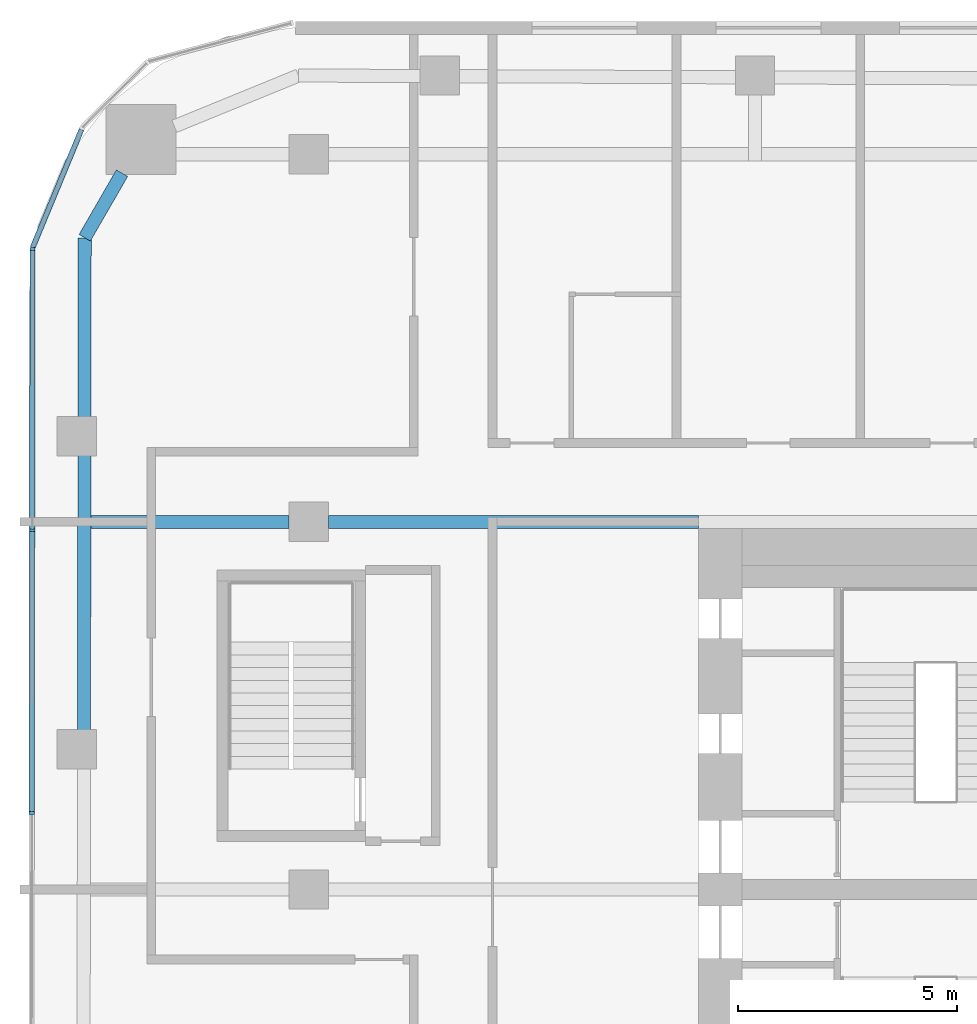
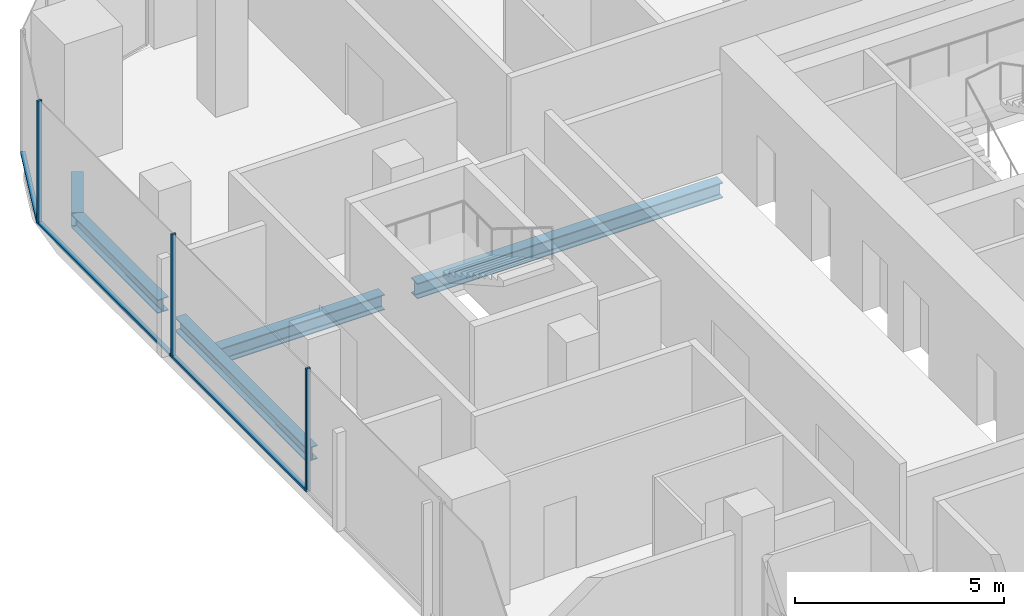
# One storey, part 8 of 23: 6 members, 5 beams, 2 elements without a shape of their own.
"""IFC4 building model written with IfcOpenShell, lengths in metres."""

from ifc_helpers import new_model, si_unit, direction, frame, origin, origin_2d, place, context, subcontext, project, spatial, rectangle, i_section, extrude, material, layer, layer_set, material_profile, profile_set, type_object, element, aggregate, save


model = new_model("IFC4")

# Units and contexts
model_context = context("Model", 3, precision=1e-05, world=origin(), true_north=direction((0.0, 1.0)))
body_context = subcontext(model_context, "Body", "Model", "MODEL_VIEW")
ifc_project = project(units=[si_unit("LENGTHUNIT", "METRE"), si_unit("AREAUNIT", "SQUARE_METRE"), si_unit("VOLUMEUNIT", "CUBIC_METRE"), si_unit("PLANEANGLEUNIT", "RADIAN"), si_unit("MASSUNIT", "GRAM", prefix="KILO")], contexts=[model_context])

# Site, building, storey
site_placement = place(None, origin())
site = spatial("IfcSite", under=ifc_project, at=site_placement, CompositionType="ELEMENT")
building_placement = place(site_placement, origin())
building = spatial("IfcBuilding", under=site, at=building_placement, Name="Marenta Gate Hotel Tower", CompositionType="ELEMENT")
storey_placement = place(building_placement, frame((0.0, 0.0, 162.5)))
storey = spatial("IfcBuildingStorey", under=building, at=storey_placement, Name="L38", CompositionType="ELEMENT", Elevation=162.5)

# Beams
ifc_material_1 = material(Name="Steel S355", Category="steel")
ifc_material_profile_1 = material_profile(ifc_material_1, i_section(OverallWidth=0.300048828125, OverallDepth=0.39990234375, WebThickness=0.013427734375, FlangeThickness=0.02392578125, FilletRadius=0.027099609375, at=origin_2d()), Name="HEB 400")
ifc_profile_set_1 = profile_set([ifc_material_profile_1], Name="Steel S355")
beam_type_1 = type_object("IfcBeamType", Name="Edge beam HEB 400", PredefinedType="SPANDREL", material=ifc_profile_set_1)
beam_1_placement = place(storey_placement, frame((-26.136962890625, 12.01318359375, -0.4599609375), z_axis=(0.001387763206, 0.999999037056, 0.0), x_axis=(-0.999999037056, 0.001387763206, 0.0)))
element("IfcBeam", 1, at=beam_1_placement, inside=storey, type_object=beam_type_1, Name="L38-EB-9", PredefinedType="SPANDREL", context=body_context, shape_type="SweptSolid", body=[
    extrude(i_section(OverallWidth=0.300048828125, OverallDepth=0.39990234375, WebThickness=0.013427734375, FlangeThickness=0.02392578125, FilletRadius=0.027099609375, at=origin_2d()), origin(), (0.0, 0.0, 1.0), 6.333251953125),
])
beam_2_placement = place(storey_placement, frame((-26.126953125, 19.16650390625, -0.4599609375), z_axis=(0.001361187116, 0.999999073584, 0.0), x_axis=(-0.999999073584, 0.001361187116, 0.0)))
element("IfcBeam", 2, at=beam_2_placement, inside=storey, type_object=beam_type_1, Name="L38-EB-10", PredefinedType="SPANDREL", context=body_context, shape_type="SweptSolid", body=[
    extrude(i_section(OverallWidth=0.300048828125, OverallDepth=0.39990234375, WebThickness=0.013427734375, FlangeThickness=0.02392578125, FilletRadius=0.027099609375, at=origin_2d()), origin(), (0.0, 0.0, 1.0), 4.125244140625),
])
beam_3_placement = place(storey_placement, frame((-26.121337890625, 23.291748046875, -0.4599609375), z_axis=(0.500015459501, 0.866016478054, 0.0), x_axis=(-0.866016478054, 0.500015459501, 0.0)))
element("IfcBeam", 3, at=beam_3_placement, inside=storey, type_object=beam_type_1, Name="L38-EB-11", PredefinedType="SPANDREL", context=body_context, shape_type="SweptSolid", body=[
    extrude(i_section(OverallWidth=0.300048828125, OverallDepth=0.39990234375, WebThickness=0.013427734375, FlangeThickness=0.02392578125, FilletRadius=0.027099609375, at=origin_2d()), origin(), (0.0, 0.0, 1.0), 1.70703125),
])
ifc_material_2 = material(Name="Steel S355", Category="steel")
ifc_material_profile_2 = material_profile(ifc_material_2, i_section(OverallWidth=0.300048828125, OverallDepth=0.449951171875, WebThickness=0.013916015625, FlangeThickness=0.02587890625, FilletRadius=0.027099609375, at=origin_2d()), Name="HEB 450")
ifc_profile_set_2 = profile_set([ifc_material_profile_2], Name="Steel S355")
beam_type_2 = type_object("IfcBeamType", Name="Girder HEB 450", PredefinedType="BEAM", material=ifc_profile_set_2)
beam_4_placement = place(storey_placement, frame((-25.980224609375, 16.800048828125, -0.485107421875), z_axis=(1.0, 0.0, 0.0), x_axis=(0.0, 1.0, 0.0)))
element("IfcBeam", 4, at=beam_4_placement, inside=storey, type_object=beam_type_2, Name="L38-GD-24", PredefinedType="BEAM", context=body_context, shape_type="SweptSolid", body=[
    extrude(i_section(OverallWidth=0.300048828125, OverallDepth=0.449951171875, WebThickness=0.013916015625, FlangeThickness=0.02587890625, FilletRadius=0.027099609375, at=origin_2d()), origin(), (0.0, 0.0, 1.0), 4.5302734375),
])
beam_5_placement = place(storey_placement, frame((-20.550048828125, 16.800048828125, -0.485107421875), z_axis=(1.0, 0.0, 0.0), x_axis=(0.0, 1.0, 0.0)))
element("IfcBeam", 5, at=beam_5_placement, inside=storey, type_object=beam_type_2, Name="L38-GD-25", PredefinedType="BEAM", context=body_context, shape_type="SweptSolid", body=[
    extrude(i_section(OverallWidth=0.300048828125, OverallDepth=0.449951171875, WebThickness=0.013916015625, FlangeThickness=0.02587890625, FilletRadius=0.027099609375, at=origin_2d()), origin(), (0.0, 0.0, 1.0), 8.449951171875),
])

# Curtain wall, members
ifc_material_3 = material(Name="Tinted insulated glass in bronze anodised frame", Category="glass")
ifc_layer = layer(ifc_material_3, 0.1201171875)
ifc_layer_set = layer_set([ifc_layer], Name="Tinted insulated glass in bronze anodised frame")
curtain_wall_type = type_object("IfcCurtainWallType", Name="Tower unitised curtain wall CW1", PredefinedType="NOTDEFINED", material=ifc_layer_set)
curtain_wall_1_placement = place(storey_placement, origin())
curtain_wall_1 = element("IfcCurtainWall", 6, at=curtain_wall_1_placement, inside=storey, type_object=curtain_wall_type, Name="CW1 run G03", PredefinedType="NOTDEFINED")
ifc_material_4 = material(Name="Bronze anodised aluminium", Category="aluminium")
ifc_material_profile_3 = material_profile(ifc_material_4, rectangle(XDim=0.1201171875, YDim=0.06005859375, at=origin_2d()), Name="Mullion CW1 60x120 bronze anodised aluminium")
ifc_profile_set_3 = profile_set([ifc_material_profile_3], Name="Bronze anodised aluminium")
member_type_1 = type_object("IfcMemberType", Name="Mullion CW1 60x120 bronze anodised aluminium", PredefinedType="MULLION", material=ifc_profile_set_3)
member_1_placement = place(storey_placement, frame((-27.312255859375, 23.0361328125, 0.0), z_axis=(0.0, 0.0, 1.0), x_axis=(0.99999877375, -0.001566045546, 0.0)))
member_1 = element("IfcMember", 7, at=member_1_placement, type_object=member_type_1, Name="CW1 mullion 1", PredefinedType="MULLION", context=body_context, shape_type="SweptSolid", body=[
    extrude(rectangle(XDim=0.1201171875, YDim=0.06005859375, at=origin_2d()), origin(), (0.0, 0.0, 1.0), 3.60009765625),
])
member_2_placement = place(storey_placement, frame((-27.322509765625, 16.606201171875, 0.0), z_axis=(0.0, 0.0, 1.0), x_axis=(0.99999877375, -0.001566045546, 0.0)))
member_2 = element("IfcMember", 8, at=member_2_placement, type_object=member_type_1, Name="CW1 mullion 2", PredefinedType="MULLION", context=body_context, shape_type="SweptSolid", body=[
    extrude(rectangle(XDim=0.1201171875, YDim=0.06005859375, at=origin_2d()), origin(), (0.0, 0.0, 1.0), 3.60009765625),
])
member_3_placement = place(storey_placement, frame((-27.33251953125, 10.146240234375, 0.0), z_axis=(0.0, 0.0, 1.0), x_axis=(0.99999877375, -0.001566045546, 0.0)))
member_3 = element("IfcMember", 9, at=member_3_placement, type_object=member_type_1, Name="CW1 mullion 3", PredefinedType="MULLION", context=body_context, shape_type="SweptSolid", body=[
    extrude(rectangle(XDim=0.1201171875, YDim=0.06005859375, at=origin_2d()), origin(), (0.0, 0.0, 1.0), 3.60009765625),
])

# Curtain wall, member
curtain_wall_2_placement = place(storey_placement, origin())
curtain_wall_2 = element("IfcCurtainWall", 10, at=curtain_wall_2_placement, inside=storey, type_object=curtain_wall_type, Name="CW1 run G02", PredefinedType="NOTDEFINED")
ifc_material_5 = material(Name="Bronze anodised aluminium", Category="aluminium")
ifc_material_profile_4 = material_profile(ifc_material_5, rectangle(XDim=0.1201171875, YDim=0.06005859375, at=origin_2d()), Name="Transom CW1 60x120 bronze anodised aluminium")
ifc_profile_set_4 = profile_set([ifc_material_profile_4], Name="Bronze anodised aluminium")
member_type_2 = type_object("IfcMemberType", Name="Transom CW1 60x120 bronze anodised aluminium", PredefinedType="USERDEFINED", material=ifc_profile_set_4)
member_4_placement = place(storey_placement, frame((-26.1953125, 25.76318359375, 0.030029296875), z_axis=(-0.382625093284, -0.923903695192, 0.0), x_axis=(0.923903695192, -0.382625093284, 0.0)))
member_4 = element("IfcMember", 11, at=member_4_placement, type_object=member_type_2, Name="CW1 transom 1.1", ObjectType="TRANSOM", PredefinedType="USERDEFINED", context=body_context, shape_type="SweptSolid", body=[
    extrude(rectangle(XDim=0.1201171875, YDim=0.06005859375, at=origin_2d()), origin(), (0.0, 0.0, 1.0), 2.919189453125),
])
aggregate(curtain_wall_2, [member_4])

# Member
member_5_placement = place(storey_placement, frame((-27.3125, 23.006103515625, 0.030029296875), z_axis=(-0.001533093902, -0.999998824811, 0.0), x_axis=(0.999998824811, -0.001533093902, 0.0)))
member_5 = element("IfcMember", 12, at=member_5_placement, type_object=member_type_2, Name="CW1 transom 1.1", ObjectType="TRANSOM", PredefinedType="USERDEFINED", context=body_context, shape_type="SweptSolid", body=[
    extrude(rectangle(XDim=0.1201171875, YDim=0.06005859375, at=origin_2d()), origin(), (0.0, 0.0, 1.0), 6.369873046875),
])

member_6_placement = place(storey_placement, frame((-27.322509765625, 16.576171875, 0.030029296875), z_axis=(-0.001564047831, -0.999998776876, 0.0), x_axis=(0.999998776876, -0.001564047831, 0.0)))
member_6 = element("IfcMember", 13, at=member_6_placement, type_object=member_type_2, Name="CW1 transom 2.1", ObjectType="TRANSOM", PredefinedType="USERDEFINED", context=body_context, shape_type="SweptSolid", body=[
    extrude(rectangle(XDim=0.1201171875, YDim=0.06005859375, at=origin_2d()), origin(), (0.0, 0.0, 1.0), 6.39990234375),
])

aggregate(curtain_wall_1, [member_1, member_2, member_3, member_5, member_6])

save(model, "model.ifc")
